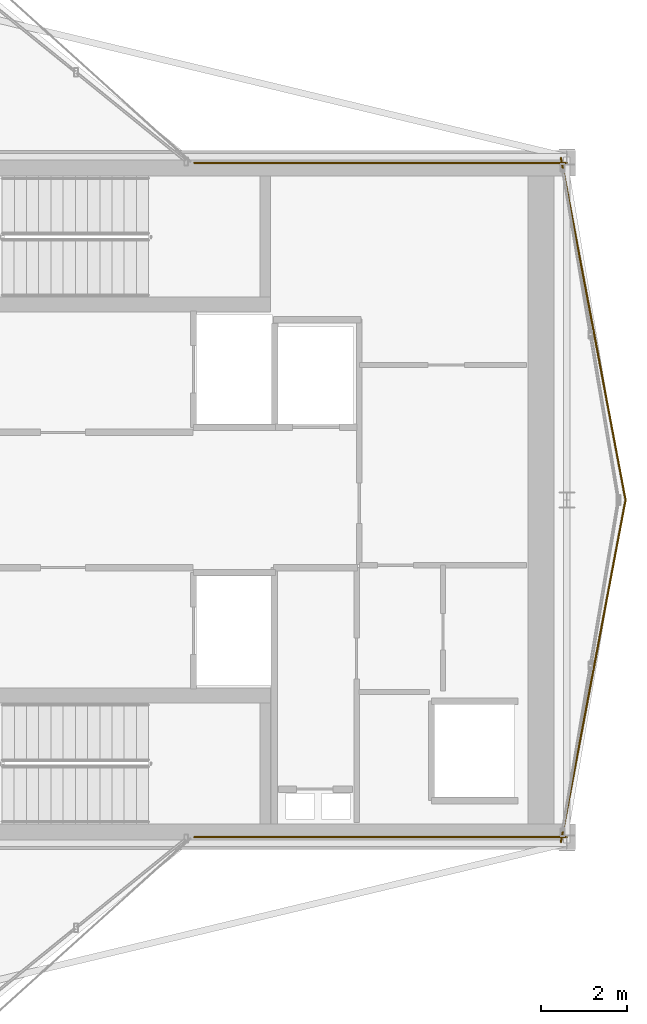
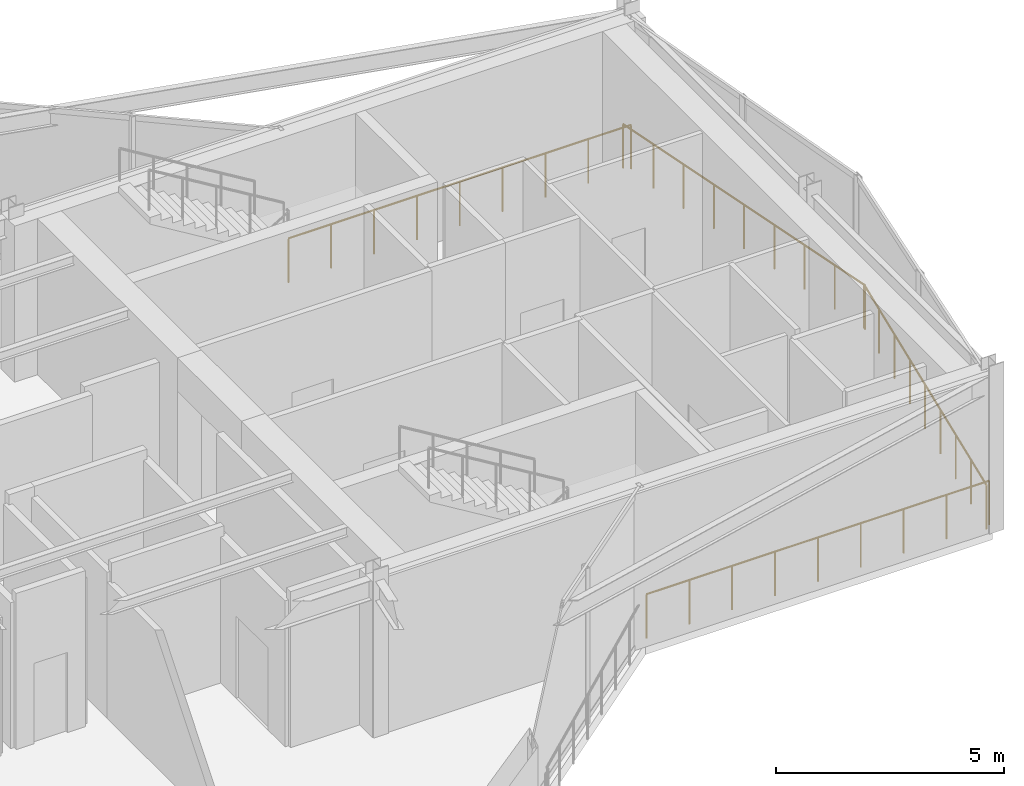
# One storey, part 14 of 14: 4 railings.
"""IFC4 building model written with IfcOpenShell, lengths in metres."""

from ifc_helpers import new_model, si_unit, direction, frame, origin, origin_2d, place, context, subcontext, project, spatial, circle, extrude, material, type_object, element, save


model = new_model("IFC4")

# Units and contexts
model_context = context("Model", 3, precision=1e-05, world=origin(), true_north=direction((0.0, 1.0)))
body_context = subcontext(model_context, "Body", "Model", "MODEL_VIEW")
ifc_project = project(units=[si_unit("LENGTHUNIT", "METRE"), si_unit("AREAUNIT", "SQUARE_METRE"), si_unit("VOLUMEUNIT", "CUBIC_METRE"), si_unit("PLANEANGLEUNIT", "RADIAN"), si_unit("MASSUNIT", "GRAM", prefix="KILO")], contexts=[model_context])

# Site, building, storey
site_placement = place(None, origin())
site = spatial("IfcSite", under=ifc_project, at=site_placement, CompositionType="ELEMENT")
building_placement = place(site_placement, origin())
building = spatial("IfcBuilding", under=site, at=building_placement, Name="Veymaron Broadcast Tower", CompositionType="ELEMENT")
storey_placement = place(building_placement, frame((0.0, 0.0, 332.39990234375)))
storey = spatial("IfcBuildingStorey", under=building, at=storey_placement, Name="L78", CompositionType="ELEMENT", Elevation=332.39990234375)

# Railings
ifc_material = material(Name="Laminated structural sentry-glass and stainless steel AISI 316L", Category="steel")
railing_type = type_object("IfcRailingType", Name="RAIL-TERR-1200", PredefinedType="GUARDRAIL", material=ifc_material)
railing_1_placement = place(storey_placement, frame((45.91259765625, 16.139892578125, 0.0)))
element("IfcRailing", 1, at=railing_1_placement, inside=storey, type_object=railing_type, Name="L78 crown perimeter guardrail 1", PredefinedType="GUARDRAIL", context=body_context, shape_type="SweptSolid", body=[
    extrude(circle(Radius=0.02392578125, at=origin_2d()), frame((0.0, 0.0, 1.17578125), z_axis=(1.0, 0.0, 0.0), x_axis=(0.0, 1.0, 0.0)), (0.0, 0.0, 1.0), 8.6875),
    extrude(circle(Radius=0.02099609375, at=origin_2d()), origin(), (0.0, 0.0, 1.0), 1.15185546875),
    extrude(circle(Radius=0.02099609375, at=origin_2d()), frame((1.0859375, 0.0, 0.0)), (0.0, 0.0, 1.0), 1.15185546875),
    extrude(circle(Radius=0.02099609375, at=origin_2d()), frame((2.171875, 0.0, 0.0)), (0.0, 0.0, 1.0), 1.15185546875),
    extrude(circle(Radius=0.02099609375, at=origin_2d()), frame((3.2578125, 0.0, 0.0)), (0.0, 0.0, 1.0), 1.15185546875),
    extrude(circle(Radius=0.02099609375, at=origin_2d()), frame((4.34375, 0.0, 0.0)), (0.0, 0.0, 1.0), 1.15185546875),
    extrude(circle(Radius=0.02099609375, at=origin_2d()), frame((5.4296875, 0.0, 0.0)), (0.0, 0.0, 1.0), 1.15185546875),
    extrude(circle(Radius=0.02099609375, at=origin_2d()), frame((6.515625, 0.0, 0.0)), (0.0, 0.0, 1.0), 1.15185546875),
    extrude(circle(Radius=0.02099609375, at=origin_2d()), frame((7.6015625, 0.0, 0.0)), (0.0, 0.0, 1.0), 1.15185546875),
    extrude(circle(Radius=0.02099609375, at=origin_2d()), frame((8.6875, 0.0, 0.0)), (0.0, 0.0, 1.0), 1.15185546875),
])
railing_2_placement = place(storey_placement, frame((54.46240234375, 16.02587890625, 0.0)))
element("IfcRailing", 2, at=railing_2_placement, inside=storey, type_object=railing_type, Name="L78 crown perimeter guardrail 2", PredefinedType="GUARDRAIL", context=body_context, shape_type="SweptSolid", body=[
    extrude(circle(Radius=0.02392578125, at=origin_2d()), frame((0.0, 0.0, 1.17578125), z_axis=(0.185707789972, 0.982605015631, 0.0), x_axis=(-0.982605015631, 0.185707789972, 0.0)), (0.0, 0.0, 1.0), 8.1416015625),
    extrude(circle(Radius=0.02099609375, at=origin_2d()), origin(), (0.0, 0.0, 1.0), 1.15185546875),
    extrude(circle(Radius=0.02099609375, at=origin_2d()), frame((0.18896484375, 1.0, 0.0)), (0.0, 0.0, 1.0), 1.15185546875),
    extrude(circle(Radius=0.02099609375, at=origin_2d()), frame((0.3779296875, 2.0, 0.0)), (0.0, 0.0, 1.0), 1.15185546875),
    extrude(circle(Radius=0.02099609375, at=origin_2d()), frame((0.56689453125, 3.0, 0.0)), (0.0, 0.0, 1.0), 1.15185546875),
    extrude(circle(Radius=0.02099609375, at=origin_2d()), frame((0.755859375, 4.0, 0.0)), (0.0, 0.0, 1.0), 1.15185546875),
    extrude(circle(Radius=0.02099609375, at=origin_2d()), frame((0.945068359375, 5.0, 0.0)), (0.0, 0.0, 1.0), 1.15185546875),
    extrude(circle(Radius=0.02099609375, at=origin_2d()), frame((1.134033203125, 6.0, 0.0)), (0.0, 0.0, 1.0), 1.15185546875),
    extrude(circle(Radius=0.02099609375, at=origin_2d()), frame((1.322998046875, 7.0, 0.0)), (0.0, 0.0, 1.0), 1.15185546875),
    extrude(circle(Radius=0.02099609375, at=origin_2d()), frame((1.511962890625, 8.0, 0.0)), (0.0, 0.0, 1.0), 1.15185546875),
])
railing_3_placement = place(storey_placement, frame((55.974365234375, 23.97412109375, 0.0)))
element("IfcRailing", 3, at=railing_3_placement, inside=storey, type_object=railing_type, Name="L78 crown perimeter guardrail 3", PredefinedType="GUARDRAIL", context=body_context, shape_type="SweptSolid", body=[
    extrude(circle(Radius=0.02392578125, at=origin_2d()), frame((0.0, 0.0, 1.17578125), z_axis=(-0.185707789972, 0.982605015631, 0.0), x_axis=(-0.982605015631, -0.185707789972, 0.0)), (0.0, 0.0, 1.0), 8.1416015625),
    extrude(circle(Radius=0.02099609375, at=origin_2d()), origin(), (0.0, 0.0, 1.0), 1.15185546875),
    extrude(circle(Radius=0.02099609375, at=origin_2d()), frame((-0.18896484375, 1.0, 0.0)), (0.0, 0.0, 1.0), 1.15185546875),
    extrude(circle(Radius=0.02099609375, at=origin_2d()), frame((-0.3779296875, 2.0, 0.0)), (0.0, 0.0, 1.0), 1.15185546875),
    extrude(circle(Radius=0.02099609375, at=origin_2d()), frame((-0.56689453125, 3.0, 0.0)), (0.0, 0.0, 1.0), 1.15185546875),
    extrude(circle(Radius=0.02099609375, at=origin_2d()), frame((-0.755859375, 4.0, 0.0)), (0.0, 0.0, 1.0), 1.15185546875),
    extrude(circle(Radius=0.02099609375, at=origin_2d()), frame((-0.945068359375, 5.0, 0.0)), (0.0, 0.0, 1.0), 1.15185546875),
    extrude(circle(Radius=0.02099609375, at=origin_2d()), frame((-1.134033203125, 6.0, 0.0)), (0.0, 0.0, 1.0), 1.15185546875),
    extrude(circle(Radius=0.02099609375, at=origin_2d()), frame((-1.322998046875, 7.0, 0.0)), (0.0, 0.0, 1.0), 1.15185546875),
    extrude(circle(Radius=0.02099609375, at=origin_2d()), frame((-1.511962890625, 8.0, 0.0)), (0.0, 0.0, 1.0), 1.15185546875),
])
railing_4_placement = place(storey_placement, frame((54.60009765625, 31.860107421875, 0.0)))
element("IfcRailing", 4, at=railing_4_placement, inside=storey, type_object=railing_type, Name="L78 crown perimeter guardrail 4", PredefinedType="GUARDRAIL", context=body_context, shape_type="SweptSolid", body=[
    extrude(circle(Radius=0.02392578125, at=origin_2d()), frame((0.0, 0.0, 1.17578125), z_axis=(-1.0, 0.0, 0.0), x_axis=(0.0, -1.0, 0.0)), (0.0, 0.0, 1.0), 8.6875),
    extrude(circle(Radius=0.02099609375, at=origin_2d()), origin(), (0.0, 0.0, 1.0), 1.15185546875),
    extrude(circle(Radius=0.02099609375, at=origin_2d()), frame((-1.0859375, 0.0, 0.0)), (0.0, 0.0, 1.0), 1.15185546875),
    extrude(circle(Radius=0.02099609375, at=origin_2d()), frame((-2.171875, 0.0, 0.0)), (0.0, 0.0, 1.0), 1.15185546875),
    extrude(circle(Radius=0.02099609375, at=origin_2d()), frame((-3.2578125, 0.0, 0.0)), (0.0, 0.0, 1.0), 1.15185546875),
    extrude(circle(Radius=0.02099609375, at=origin_2d()), frame((-4.34375, 0.0, 0.0)), (0.0, 0.0, 1.0), 1.15185546875),
    extrude(circle(Radius=0.02099609375, at=origin_2d()), frame((-5.4296875, 0.0, 0.0)), (0.0, 0.0, 1.0), 1.15185546875),
    extrude(circle(Radius=0.02099609375, at=origin_2d()), frame((-6.515625, 0.0, 0.0)), (0.0, 0.0, 1.0), 1.15185546875),
    extrude(circle(Radius=0.02099609375, at=origin_2d()), frame((-7.6015625, 0.0, 0.0)), (0.0, 0.0, 1.0), 1.15185546875),
    extrude(circle(Radius=0.02099609375, at=origin_2d()), frame((-8.6875, 0.0, 0.0)), (0.0, 0.0, 1.0), 1.15185546875),
])

save(model, "model.ifc")
